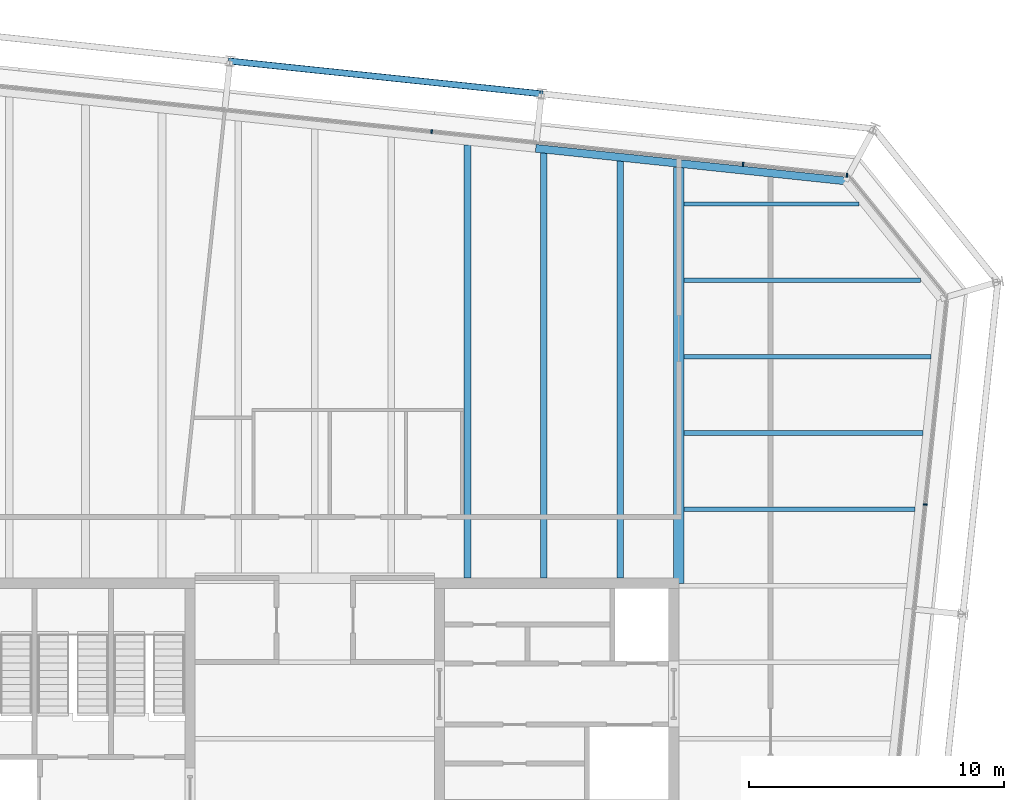
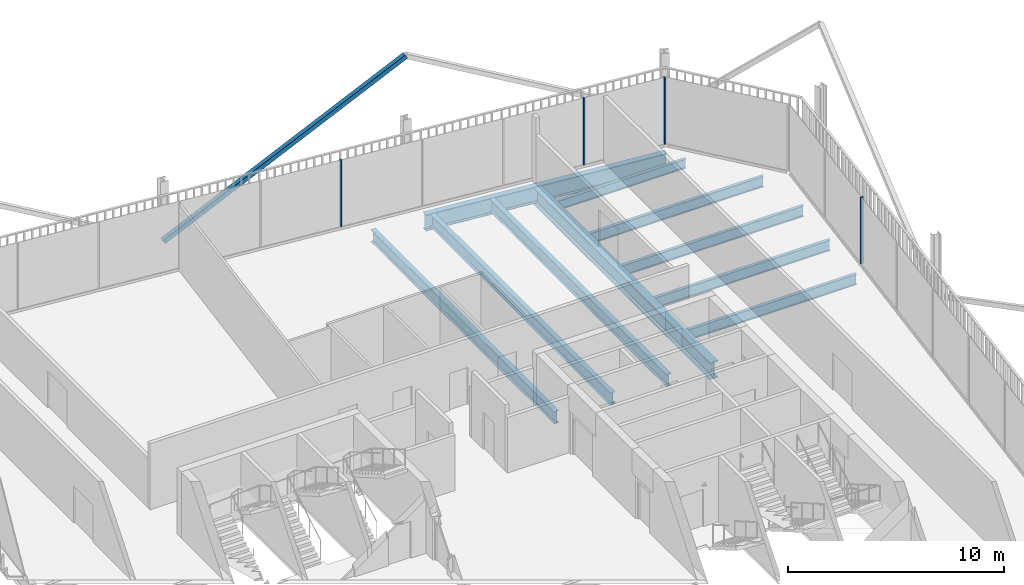
# One storey, part 14 of 21: 10 beams, 5 members, 2 elements without a shape of their own.
"""IFC4 building model written with IfcOpenShell, lengths in metres."""

from ifc_helpers import new_model, si_unit, direction, frame, origin, origin_2d, place, context, subcontext, project, spatial, rectangle, hollow_rectangle, i_section, extrude, material, layer, layer_set, material_profile, profile_set, type_object, element, aggregate, save


model = new_model("IFC4")

# Units and contexts
model_context = context("Model", 3, precision=1e-05, world=origin(), true_north=direction((0.0, 1.0)))
body_context = subcontext(model_context, "Body", "Model", "MODEL_VIEW")
ifc_project = project(units=[si_unit("LENGTHUNIT", "METRE"), si_unit("AREAUNIT", "SQUARE_METRE"), si_unit("VOLUMEUNIT", "CUBIC_METRE"), si_unit("PLANEANGLEUNIT", "RADIAN"), si_unit("MASSUNIT", "GRAM", prefix="KILO")], contexts=[model_context])

# Site, building, storey
site_placement = place(None, origin())
site = spatial("IfcSite", under=ifc_project, at=site_placement, CompositionType="ELEMENT")
building_placement = place(site_placement, origin())
building = spatial("IfcBuilding", under=site, at=building_placement, Name="Millrace Tower", CompositionType="ELEMENT")
storey_placement = place(building_placement, frame((0.0, 0.0, 318.699951171875)))
storey = spatial("IfcBuildingStorey", under=building, at=storey_placement, Name="L73", CompositionType="ELEMENT", Elevation=318.699951171875)

# Curtain wall, member
ifc_material_1 = material(Name="Aluminium and glass", Category="aluminium")
ifc_layer = layer(ifc_material_1, 0.14990234375)
ifc_layer_set = layer_set([ifc_layer], Name="Aluminium and glass")
curtain_wall_type = type_object("IfcCurtainWallType", Name="CW-1 office vision curtain wall", PredefinedType="NOTDEFINED", material=ifc_layer_set)
placement = place(storey_placement, origin())
curtain_wall_1 = element("IfcCurtainWall", 1, at=placement, inside=storey, type_object=curtain_wall_type, Name="Curtain wall E-F04 L73", PredefinedType="NOTDEFINED")
ifc_material_2 = material(Name="Aluminium", Category="aluminium")
ifc_material_profile_1 = material_profile(ifc_material_2, rectangle(XDim=0.06494140625, YDim=0.14990234375, at=origin_2d()))
ifc_profile_set_1 = profile_set([ifc_material_profile_1], Name="Aluminium")
member_type_1 = type_object("IfcMemberType", Name="CW-1 office vision curtain wall mullion", PredefinedType="MULLION", material=ifc_profile_set_1)
member_1_placement = place(storey_placement, frame((23.974853515625, 12.1904296875, 0.14013671875), z_axis=(0.0, 0.0, 1.0), x_axis=(0.104528455196, 0.994521896217, 0.0)))
member_1 = element("IfcMember", 2, at=member_1_placement, type_object=member_type_1, Name="CW1 mullion E-F04.8", PredefinedType="MULLION", context=body_context, shape_type="SweptSolid", body=[
    extrude(rectangle(XDim=0.06494140625, YDim=0.14990234375, at=origin_2d()), origin(), (0.0, 0.0, 1.0), 3.760009765625),
])
aggregate(curtain_wall_1, [member_1])

# Curtain wall, members
curtain_wall_2 = element("IfcCurtainWall", 3, at=placement, inside=storey, type_object=curtain_wall_type, Name="Curtain wall E-F06 L73", PredefinedType="NOTDEFINED")
member_2_placement = place(storey_placement, frame((20.902587890625, 25.124755859375, 0.14013671875), z_axis=(0.0, 0.0, 1.0), x_axis=(-0.994521896217, 0.104528455196, 0.0)))
member_2 = element("IfcMember", 4, at=member_2_placement, type_object=member_type_1, Name="CW1 mullion E-F06.1", PredefinedType="MULLION", context=body_context, shape_type="SweptSolid", body=[
    extrude(rectangle(XDim=0.06494140625, YDim=0.14990234375, at=origin_2d()), origin(), (0.0, 0.0, 1.0), 3.760009765625),
])
member_3_placement = place(storey_placement, frame((16.824951171875, 25.553466796875, 0.14013671875), z_axis=(0.0, 0.0, 1.0), x_axis=(-0.994521896217, 0.104528455196, 0.0)))
member_3 = element("IfcMember", 5, at=member_3_placement, type_object=member_type_1, Name="CW1 mullion E-F06.2", PredefinedType="MULLION", context=body_context, shape_type="SweptSolid", body=[
    extrude(rectangle(XDim=0.06494140625, YDim=0.14990234375, at=origin_2d()), origin(), (0.0, 0.0, 1.0), 3.760009765625),
])
member_4_placement = place(storey_placement, frame((4.59228515625, 26.839111328125, 0.14013671875), z_axis=(0.0, 0.0, 1.0), x_axis=(-0.994521896217, 0.104528455196, 0.0)))
member_4 = element("IfcMember", 6, at=member_4_placement, type_object=member_type_1, Name="CW1 mullion E-F06.5", PredefinedType="MULLION", context=body_context, shape_type="SweptSolid", body=[
    extrude(rectangle(XDim=0.06494140625, YDim=0.14990234375, at=origin_2d()), origin(), (0.0, 0.0, 1.0), 3.760009765625),
])
aggregate(curtain_wall_2, [member_2, member_3, member_4])

# Member
ifc_material_3 = material(Name="Steel ASTM A500 Grade C", Category="steel")
ifc_material_profile_2 = material_profile(ifc_material_3, hollow_rectangle(XDim=0.25390625, YDim=0.25390625, WallThickness=0.009521484375, InnerFilletRadius=0.004638671875, OuterFilletRadius=0.014404296875, at=origin_2d()))
ifc_profile_set_2 = profile_set([ifc_material_profile_2], Name="Steel ASTM A500 Grade C")
member_type_2 = type_object("IfcMemberType", Name="Exoskeleton brace HSS10x10x3/8", PredefinedType="BRACE", material=ifc_profile_set_2)
member_5_placement = place(storey_placement, frame((-3.329345703125, 29.607177734375, 0.400146484375), z_axis=(0.864351522622, -0.090842732624, 0.494615045537), x_axis=(0.104523600289, 0.994522406476, 0.0)))
element("IfcMember", 7, at=member_5_placement, inside=storey, type_object=member_type_2, Name="BRC-E-L73-11", PredefinedType="BRACE", context=body_context, shape_type="SweptSolid", body=[
    extrude(hollow_rectangle(XDim=0.25390625, YDim=0.25390625, WallThickness=0.009521484375, InnerFilletRadius=0.004638671875, OuterFilletRadius=0.014404296875, at=origin_2d()), origin(), (0.0, 0.0, 1.0), 14.15234375),
])

# Beams
ifc_material_4 = material(Name="Steel ASTM A992 Grade 50", Category="steel")
ifc_material_profile_3 = material_profile(ifc_material_4, i_section(OverallWidth=0.1650390625, OverallDepth=0.52587890625, WebThickness=0.0087890625, FlangeThickness=0.011474609375, FilletRadius=0.0126953125, at=origin_2d()))
ifc_profile_set_3 = profile_set([ifc_material_profile_3], Name="Steel ASTM A992 Grade 50")
beam_type_1 = type_object("IfcBeamType", Name="Floor beam W21x44", PredefinedType="JOIST", material=ifc_profile_set_3)
beam_1_placement = place(storey_placement, frame((14.509521484375, 24.0, -0.4228515625), z_axis=(1.0, 0.0, 0.0), x_axis=(0.0, 1.0, 0.0)))
element("IfcBeam", 8, at=beam_1_placement, inside=storey, type_object=beam_type_1, Name="BM-E-L73-S1-S034", PredefinedType="JOIST", context=body_context, shape_type="SweptSolid", body=[
    extrude(i_section(OverallWidth=0.1650390625, OverallDepth=0.52587890625, WebThickness=0.0087890625, FlangeThickness=0.011474609375, FilletRadius=0.0126953125, at=origin_2d()), origin(), (0.0, 0.0, 1.0), 6.861572265625),
])
ifc_material_5 = material(Name="Steel ASTM A992 Grade 50", Category="steel")
ifc_material_profile_4 = material_profile(ifc_material_5, i_section(OverallWidth=0.177978515625, OverallDepth=0.599365234375, WebThickness=0.010009765625, FlangeThickness=0.012939453125, FilletRadius=0.012939453125, at=origin_2d()))
ifc_profile_set_4 = profile_set([ifc_material_profile_4], Name="Steel ASTM A992 Grade 50")
beam_type_2 = type_object("IfcBeamType", Name="Floor beam W24x55", PredefinedType="JOIST", material=ifc_profile_set_4)
beam_2_placement = place(storey_placement, frame((14.509521484375, 12.0, -0.459716796875), z_axis=(1.0, 0.0, 0.0), x_axis=(0.0, 1.0, 0.0)))
element("IfcBeam", 9, at=beam_2_placement, inside=storey, type_object=beam_type_2, Name="BM-E-L73-S1-S026", PredefinedType="JOIST", context=body_context, shape_type="SweptSolid", body=[
    extrude(i_section(OverallWidth=0.177978515625, OverallDepth=0.599365234375, WebThickness=0.010009765625, FlangeThickness=0.012939453125, FilletRadius=0.012939453125, at=origin_2d()), origin(), (0.0, 0.0, 1.0), 9.060791015625),
])
beam_3_placement = place(storey_placement, frame((14.509521484375, 15.0, -0.459716796875), z_axis=(1.0, 0.0, 0.0), x_axis=(0.0, 1.0, 0.0)))
element("IfcBeam", 10, at=beam_3_placement, inside=storey, type_object=beam_type_2, Name="BM-E-L73-S1-S028", PredefinedType="JOIST", context=body_context, shape_type="SweptSolid", body=[
    extrude(i_section(OverallWidth=0.177978515625, OverallDepth=0.599365234375, WebThickness=0.010009765625, FlangeThickness=0.012939453125, FilletRadius=0.012939453125, at=origin_2d()), origin(), (0.0, 0.0, 1.0), 9.376220703125),
])
beam_4_placement = place(storey_placement, frame((14.509521484375, 18.0, -0.459716796875), z_axis=(1.0, 0.0, 0.0), x_axis=(0.0, 1.0, 0.0)))
element("IfcBeam", 11, at=beam_4_placement, inside=storey, type_object=beam_type_2, Name="BM-E-L73-S1-S030", PredefinedType="JOIST", context=body_context, shape_type="SweptSolid", body=[
    extrude(i_section(OverallWidth=0.177978515625, OverallDepth=0.599365234375, WebThickness=0.010009765625, FlangeThickness=0.012939453125, FilletRadius=0.012939453125, at=origin_2d()), origin(), (0.0, 0.0, 1.0), 9.69140625),
])
beam_5_placement = place(storey_placement, frame((14.509521484375, 21.0, -0.459716796875), z_axis=(1.0, 0.0, 0.0), x_axis=(0.0, 1.0, 0.0)))
element("IfcBeam", 12, at=beam_5_placement, inside=storey, type_object=beam_type_2, Name="BM-E-L73-S1-S032", PredefinedType="JOIST", context=body_context, shape_type="SweptSolid", body=[
    extrude(i_section(OverallWidth=0.177978515625, OverallDepth=0.599365234375, WebThickness=0.010009765625, FlangeThickness=0.012939453125, FilletRadius=0.012939453125, at=origin_2d()), origin(), (0.0, 0.0, 1.0), 9.282958984375),
])
ifc_material_6 = material(Name="Steel ASTM A992 Grade 50", Category="steel")
ifc_material_profile_5 = material_profile(ifc_material_6, i_section(OverallWidth=0.256591796875, OverallDepth=0.693359375, WebThickness=0.014404296875, FlangeThickness=0.023681640625, FilletRadius=0.01513671875, at=origin_2d()))
ifc_profile_set_5 = profile_set([ifc_material_profile_5], Name="Steel ASTM A992 Grade 50")
beam_type_3 = type_object("IfcBeamType", Name="Floor beam W27x114", PredefinedType="JOIST", material=ifc_profile_set_5)
beam_6_placement = place(storey_placement, frame((6.0, 9.300048828125, -0.506591796875), z_axis=(0.0, 1.0, 0.0), x_axis=(-1.0, 0.0, 0.0)))
element("IfcBeam", 13, at=beam_6_placement, inside=storey, type_object=beam_type_3, Name="BM-E-L73-S1-S048", PredefinedType="JOIST", context=body_context, shape_type="SweptSolid", body=[
    extrude(i_section(OverallWidth=0.256591796875, OverallDepth=0.693359375, WebThickness=0.014404296875, FlangeThickness=0.023681640625, FilletRadius=0.01513671875, at=origin_2d()), origin(), (0.0, 0.0, 1.0), 17.006591796875),
])
beam_7_placement = place(storey_placement, frame((9.0, 9.300048828125, -0.506591796875), z_axis=(0.0, 1.0, 0.0), x_axis=(-1.0, 0.0, 0.0)))
element("IfcBeam", 14, at=beam_7_placement, inside=storey, type_object=beam_type_3, Name="BM-E-L73-S1-S050", PredefinedType="JOIST", context=body_context, shape_type="SweptSolid", body=[
    extrude(i_section(OverallWidth=0.256591796875, OverallDepth=0.693359375, WebThickness=0.014404296875, FlangeThickness=0.023681640625, FilletRadius=0.01513671875, at=origin_2d()), origin(), (0.0, 0.0, 1.0), 16.69140625),
])
beam_8_placement = place(storey_placement, frame((12.0, 9.300048828125, -0.506591796875), z_axis=(0.0, 1.0, 0.0), x_axis=(-1.0, 0.0, 0.0)))
element("IfcBeam", 15, at=beam_8_placement, inside=storey, type_object=beam_type_3, Name="BM-E-L73-S1-S052", PredefinedType="JOIST", context=body_context, shape_type="SweptSolid", body=[
    extrude(i_section(OverallWidth=0.256591796875, OverallDepth=0.693359375, WebThickness=0.014404296875, FlangeThickness=0.023681640625, FilletRadius=0.01513671875, at=origin_2d()), origin(), (0.0, 0.0, 1.0), 16.3759765625),
])
ifc_material_7 = material(Name="Steel ASTM A992 Grade 50", Category="steel")
ifc_material_profile_6 = material_profile(ifc_material_7, i_section(OverallWidth=0.424072265625, OverallDepth=0.947509765625, WebThickness=0.02392578125, FlangeThickness=0.042724609375, FilletRadius=0.024169921875, at=origin_2d()))
ifc_profile_set_6 = profile_set([ifc_material_profile_6], Name="Steel ASTM A992 Grade 50")
beam_type_4 = type_object("IfcBeamType", Name="Girder medium span W36x302", PredefinedType="BEAM", material=ifc_profile_set_6)
beam_9_placement = place(storey_placement, frame((14.300048828125, 9.092041015625, -0.633544921875), z_axis=(0.0, 1.0, 0.0), x_axis=(-1.0, 0.0, 0.0)))
element("IfcBeam", 16, at=beam_9_placement, inside=storey, type_object=beam_type_4, Name="BM-E-L73-S1-G056", PredefinedType="BEAM", context=body_context, shape_type="SweptSolid", body=[
    extrude(i_section(OverallWidth=0.424072265625, OverallDepth=0.947509765625, WebThickness=0.02392578125, FlangeThickness=0.042724609375, FilletRadius=0.024169921875, at=origin_2d()), origin(), (0.0, 0.0, 1.0), 16.34228515625),
])
ifc_material_8 = material(Name="Steel ASTM A992 Grade 50", Category="steel")
ifc_material_profile_7 = material_profile(ifc_material_8, i_section(OverallWidth=0.307373046875, OverallDepth=0.927001953125, WebThickness=0.01953125, FlangeThickness=0.031982421875, FilletRadius=0.01904296875, at=origin_2d()))
ifc_profile_set_7 = profile_set([ifc_material_profile_7], Name="Steel ASTM A992 Grade 50")
beam_type_5 = type_object("IfcBeamType", Name="Ring beam medium span W36x194", PredefinedType="SPANDREL", material=ifc_profile_set_7)
beam_10_placement = place(storey_placement, frame((8.67822265625, 26.1796875, -0.62353515625), z_axis=(0.994521948696, -0.104527955888, 0.0), x_axis=(0.104527955888, 0.994521948696, 0.0)))
element("IfcBeam", 17, at=beam_10_placement, inside=storey, type_object=beam_type_5, Name="RNG-E-L73-S1-07", PredefinedType="SPANDREL", context=body_context, shape_type="SweptSolid", body=[
    extrude(i_section(OverallWidth=0.307373046875, OverallDepth=0.927001953125, WebThickness=0.01953125, FlangeThickness=0.031982421875, FilletRadius=0.01904296875, at=origin_2d()), origin(), (0.0, 0.0, 1.0), 12.236572265625),
])

save(model, "model.ifc")
